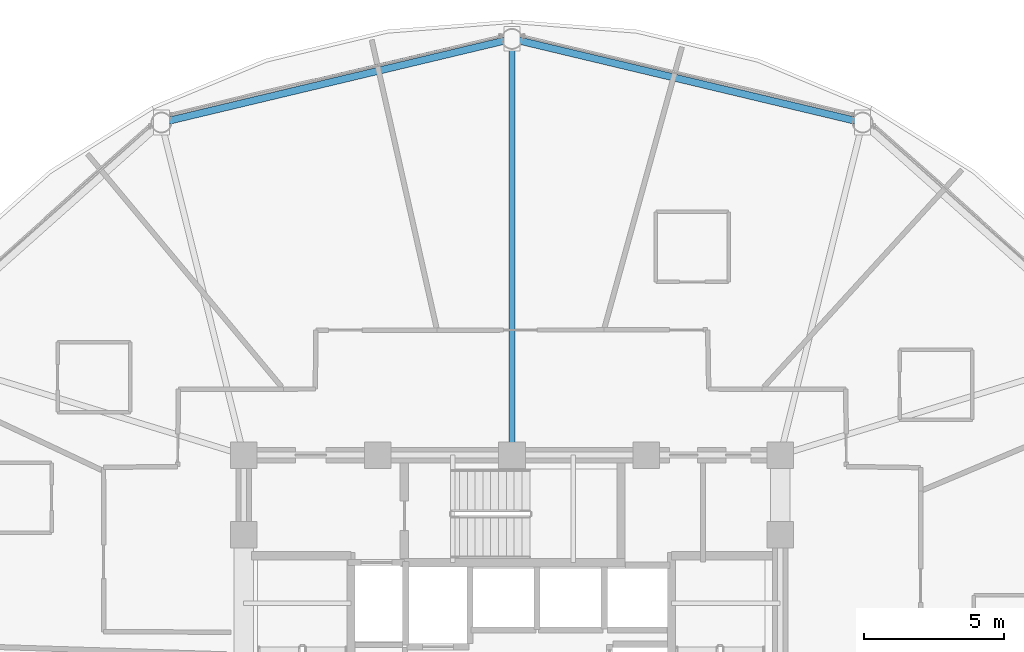
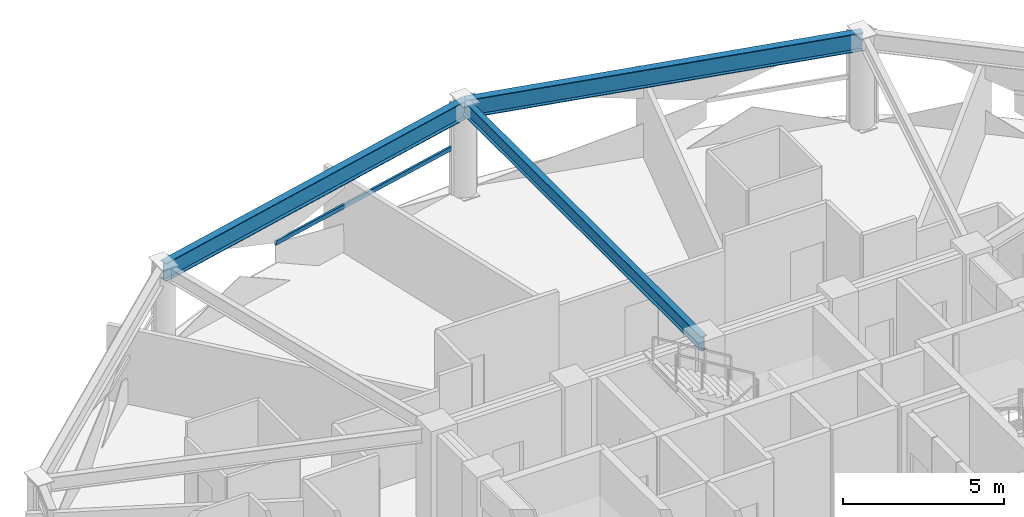
# One storey, part 17 of 30: 3 beams, 1 member, 1 element without a shape of its own.
"""IFC4 building model written with IfcOpenShell, lengths in metres."""

from ifc_helpers import new_model, si_unit, direction, frame, origin, origin_2d, place, context, subcontext, project, spatial, hollow_rectangle, i_section, extrude, material, layer, layer_set, material_profile, profile_set, type_object, element, aggregate, save


model = new_model("IFC4")

# Units and contexts
model_context = context("Model", 3, precision=1e-05, world=origin(), true_north=direction((0.0, 1.0)))
body_context = subcontext(model_context, "Body", "Model", "MODEL_VIEW")
ifc_project = project(units=[si_unit("LENGTHUNIT", "METRE"), si_unit("AREAUNIT", "SQUARE_METRE"), si_unit("VOLUMEUNIT", "CUBIC_METRE"), si_unit("PLANEANGLEUNIT", "RADIAN"), si_unit("MASSUNIT", "GRAM", prefix="KILO")], contexts=[model_context])

# Site, building, storey
site_placement = place(None, origin())
site = spatial("IfcSite", under=ifc_project, at=site_placement, CompositionType="ELEMENT")
building_placement = place(site_placement, origin())
building = spatial("IfcBuilding", under=site, at=building_placement, Name="Vantalir Tower", CompositionType="ELEMENT")
storey_placement = place(building_placement, frame((0.0, 0.0, 130.949951171875)))
storey = spatial("IfcBuildingStorey", under=building, at=storey_placement, Name="L32", CompositionType="ELEMENT", Elevation=130.949951171875)

# Beams
ifc_material_1 = material(Name="Steel S355", Category="steel")
ifc_material_profile_1 = material_profile(ifc_material_1, i_section(OverallWidth=0.2109375, OverallDepth=0.5390625, WebThickness=0.01171875, FlangeThickness=0.018798828125, at=origin_2d()), Name="Steel S355")
ifc_profile_set_1 = profile_set([ifc_material_profile_1], Name="Steel S355")
beam_type_1 = type_object("IfcBeamType", Name="BM-RB-533x210", PredefinedType="BEAM", material=ifc_profile_set_1)
beam_1_placement = place(storey_placement, frame((31.5, 47.344970703125, 3.301025390625), z_axis=(0.0, -1.0, 0.0), x_axis=(1.0, 0.0, 0.0)))
element("IfcBeam", 1, at=beam_1_placement, inside=storey, type_object=beam_type_1, Name="L32 Radial Floor Beam 04", PredefinedType="BEAM", context=body_context, shape_type="SweptSolid", body=[
    extrude(i_section(OverallWidth=0.2109375, OverallDepth=0.5390625, WebThickness=0.01171875, FlangeThickness=0.018798828125, at=origin_2d()), origin(), (0.0, 0.0, 1.0), 14.89501953125),
])
ifc_material_2 = material(Name="Steel S460", Category="steel")
ifc_material_profile_2 = material_profile(ifc_material_2, i_section(OverallWidth=0.256103515625, OverallDepth=0.693115234375, WebThickness=0.014404296875, FlangeThickness=0.023681640625, at=origin_2d()), Name="Steel S460")
ifc_profile_set_2 = profile_set([ifc_material_profile_2], Name="Steel S460")
beam_type_2 = type_object("IfcBeamType", Name="BM-RG-686x254", PredefinedType="USERDEFINED", material=ifc_profile_set_2)
beam_2_placement = place(storey_placement, frame((44.047119140625, 44.35107421875, 3.22412109375), z_axis=(-0.972692782587, 0.232096425444, 0.0), x_axis=(-0.232096425444, -0.972692782587, 0.0)))
element("IfcBeam", 2, at=beam_2_placement, inside=storey, type_object=beam_type_2, Name="L32 Circumferential Ring Girder 03", ObjectType="GIRDER", PredefinedType="USERDEFINED", context=body_context, shape_type="SweptSolid", body=[
    extrude(i_section(OverallWidth=0.256103515625, OverallDepth=0.693115234375, WebThickness=0.014404296875, FlangeThickness=0.023681640625, at=origin_2d()), origin(), (0.0, 0.0, 1.0), 12.8994140625),
])
beam_3_placement = place(storey_placement, frame((31.5, 47.344970703125, 3.22412109375), z_axis=(-0.972687684131, -0.232117791518, 0.0), x_axis=(0.232117791518, -0.972687684131, 0.0)))
element("IfcBeam", 3, at=beam_3_placement, inside=storey, type_object=beam_type_2, Name="L32 Circumferential Ring Girder 04", ObjectType="GIRDER", PredefinedType="USERDEFINED", context=body_context, shape_type="SweptSolid", body=[
    extrude(i_section(OverallWidth=0.256103515625, OverallDepth=0.693115234375, WebThickness=0.014404296875, FlangeThickness=0.023681640625, at=origin_2d()), origin(), (0.0, 0.0, 1.0), 12.898193359375),
])

# Curtain wall, member
ifc_material_3 = material(Name="Champagne-silver PVDF aluminium and double-silver Low-E glass", Category="aluminium")
ifc_layer = layer(ifc_material_3, 0.199951171875)
ifc_layer_set = layer_set([ifc_layer], Name="Champagne-silver PVDF aluminium and double-silver Low-E glass")
curtain_wall_type = type_object("IfcCurtainWallType", Name="CW-DIAMOND-Z2", PredefinedType="USERDEFINED", material=ifc_layer_set)
curtain_wall_placement = place(storey_placement, origin())
curtain_wall = element("IfcCurtainWall", 4, at=curtain_wall_placement, inside=storey, type_object=curtain_wall_type, Name="L32 Quilted Pyramid-Diamond Curtain Wall S04", ObjectType="UNITISED CURTAIN WALL", PredefinedType="USERDEFINED")
ifc_material_4 = material(Name="Champagne-silver PVDF aluminium 6063-T6", Category="aluminium")
ifc_material_profile_3 = material_profile(ifc_material_4, hollow_rectangle(XDim=0.074951171875, YDim=0.159912109375, WallThickness=0.00390625, at=origin_2d()), Name="Champagne-silver PVDF aluminium 6063-T6")
ifc_profile_set_3 = profile_set([ifc_material_profile_3], Name="Champagne-silver PVDF aluminium 6063-T6")
member_type = type_object("IfcMemberType", Name="CWT-160x75", PredefinedType="USERDEFINED", material=ifc_profile_set_3)
member_placement = place(storey_placement, frame((31.072021484375, 47.43310546875, 1.78515625), z_axis=(-0.973358341153, -0.229289205389, 0.0), x_axis=(0.229289205389, -0.973358341153, 0.0)))
member = element("IfcMember", 5, at=member_placement, type_object=member_type, Name="CW-L32-S04 Pyramid Fold Ridge Transom", ObjectType="TRANSOM", PredefinedType="USERDEFINED", context=body_context, shape_type="SweptSolid", body=[
    extrude(hollow_rectangle(XDim=0.074951171875, YDim=0.159912109375, WallThickness=0.00390625, at=origin_2d()), origin(), (0.0, 0.0, 1.0), 7.51513671875),
])
aggregate(curtain_wall, [member])

save(model, "model.ifc")
